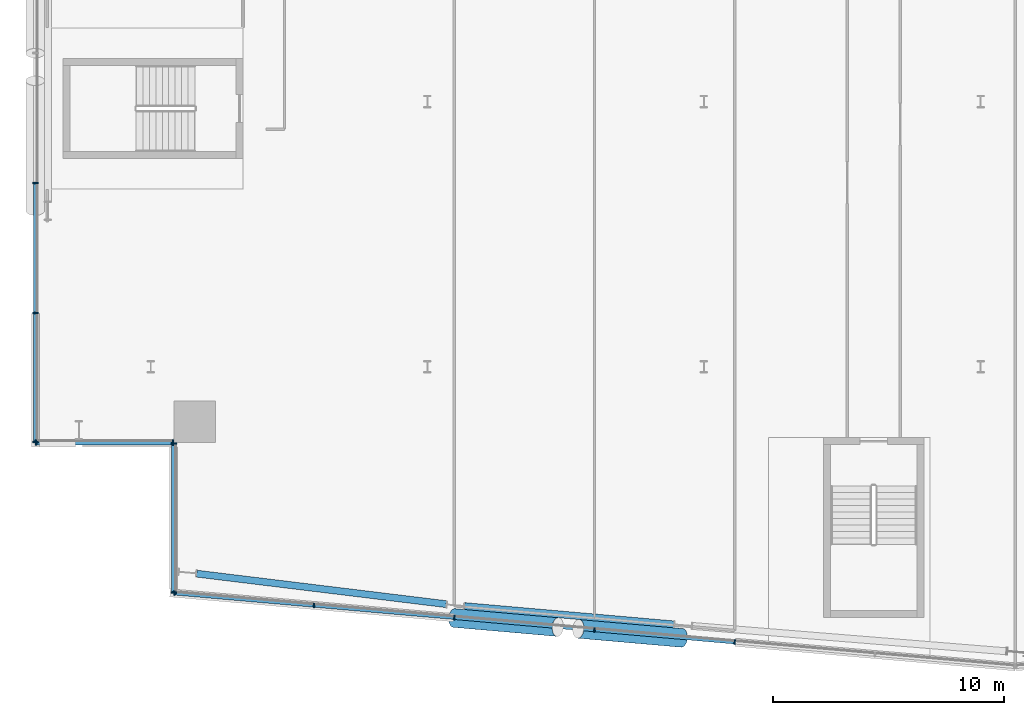
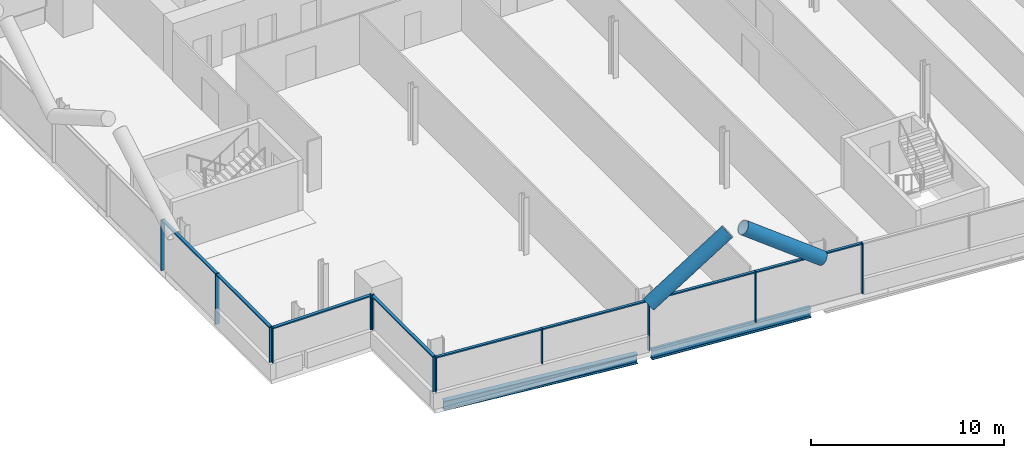
# One storey, part 5 of 25: 22 members, 2 beams, 4 elements without a shape of their own.
"""IFC4 building model written with IfcOpenShell, lengths in metres."""

import ifcopenshell
import ifcopenshell.guid

model = None  # the IFC model being written
_history = None  # IfcOwnerHistory: only IFC2X3 demands one
_inside = {}  # id of a spatial element -> (the spatial element, [elements in it])
_under = {}  # id of a project, library or spatial element -> (it, [spatial elements below it])
_declared = {}  # id of a project -> (the project, [libraries it declares])
_typed = {}  # id of a type object -> (the type object, [elements of that type])
_made_of = {}  # id of a material, layer set ... -> (it, [elements and type objects made of it])


def new_model(schema):
    """Start an empty IFC model of exactly this schema.

    Asked for "IFC4X3", IfcOpenShell would pick the latest addendum, in which some entities
    have other attributes; the version numbers below select the first issue.
    IFC2X3 requires an IfcOwnerHistory on every rooted entity: one is made here for all.
    """
    global model, _history
    if schema == "IFC4X3":
        model = ifcopenshell.file(schema_version=(4, 3, 0, 0))
    else:
        model = ifcopenshell.file(schema=schema)
    _inside.clear()
    _under.clear()
    _declared.clear()
    _typed.clear()
    _made_of.clear()
    _history = None
    if model.schema == "IFC2X3":
        org = make("IfcOrganization", Name="unknown")
        user = make(
            "IfcPersonAndOrganization",
            ThePerson=make("IfcPerson", FamilyName="unknown"),
            TheOrganization=org,
        )
        app = make(
            "IfcApplication",
            ApplicationDeveloper=org,
            Version="unknown",
            ApplicationFullName="unknown",
            ApplicationIdentifier="unknown",
        )
        _history = make(
            "IfcOwnerHistory",
            OwningUser=user,
            OwningApplication=app,
            ChangeAction="ADDED",
            CreationDate=0,
        )
    return model


def make(cls, **values):
    """One entity of the class cls with the attributes given. An attribute that is None is left unset."""
    return model.create_entity(
        cls, **{name: value for name, value in values.items() if value is not None}
    )


def rooted(cls, **values):
    """An entity with a GlobalId (a new one), such as an element, a storey or a relation."""
    return make(cls, GlobalId=ifcopenshell.guid.new(), OwnerHistory=_history, **values)


def si_unit(unit_type, name, prefix=None):
    """IfcSIUnit, for example si_unit("LENGTHUNIT", "METRE", prefix="MILLI")."""
    return make("IfcSIUnit", UnitType=unit_type, Prefix=prefix, Name=name)


def assignment(units):
    """IfcUnitAssignment: the units of a project."""
    return None if units is None else make("IfcUnitAssignment", Units=units)


def point(xyz):
    """IfcCartesianPoint."""
    return None if xyz is None else make("IfcCartesianPoint", Coordinates=xyz)


def direction(xyz):
    """IfcDirection."""
    return None if xyz is None else make("IfcDirection", DirectionRatios=xyz)


def frame(location, z_axis=None, x_axis=None):
    """IfcAxis2Placement3D, a coordinate frame: its origin and axes. An axis left out is left unset."""
    return make(
        "IfcAxis2Placement3D",
        Location=point(location),
        Axis=direction(z_axis),
        RefDirection=direction(x_axis),
    )


def frame_2d(location, x_axis=None):
    """IfcAxis2Placement2D, a coordinate frame in the plane: its origin and x axis."""
    return make(
        "IfcAxis2Placement2D", Location=point(location), RefDirection=direction(x_axis)
    )


def origin():
    """The frame at (0, 0, 0) with its axes left unset."""
    return frame((0.0, 0.0, 0.0))


def origin_2d():
    """The frame at (0, 0) in the plane with its x axis left unset."""
    return frame_2d((0.0, 0.0))


def place(relative_to, where):
    """IfcLocalPlacement: puts the frame where relative to a parent placement (None: the world)."""
    return make(
        "IfcLocalPlacement", PlacementRelTo=relative_to, RelativePlacement=where
    )


def context(
    kind, dimensions, precision=None, world=None, true_north=None, identifier=None
):
    """IfcGeometricRepresentationContext, for example the 3D "Model" context."""
    return make(
        "IfcGeometricRepresentationContext",
        ContextIdentifier=identifier,
        ContextType=kind,
        CoordinateSpaceDimension=dimensions,
        Precision=precision,
        WorldCoordinateSystem=world,
        TrueNorth=true_north,
    )


def subcontext(parent, identifier, kind, view, scale=None):
    """IfcGeometricRepresentationSubContext, for example "Body" below "Model"."""
    return make(
        "IfcGeometricRepresentationSubContext",
        ContextIdentifier=identifier,
        ContextType=kind,
        ParentContext=parent,
        TargetScale=scale,
        TargetView=view,
    )


def project(units=None, contexts=None):
    """IfcProject with its units and contexts."""
    return rooted(
        "IfcProject",
        Name="project",
        RepresentationContexts=contexts,
        UnitsInContext=assignment(units),
    )


def spatial(cls, under=None, at=None, **own):
    """A site, building, storey or space (cls), placed at a placement, below another one or the project."""
    s = rooted(cls, ObjectPlacement=at, **own)
    if under is not None:
        _under.setdefault(under.id(), (under, []))[1].append(s)
    return s


def profile(cls, at=None, kind="AREA", **sizes):
    """A parametric profile (cls). Its sizes go by their IFC names, for example OverallWidth=200.0."""
    return make(cls, ProfileType=kind, Position=at, **sizes)


def rectangle(**sizes):
    """IfcRectangleProfileDef."""
    return profile("IfcRectangleProfileDef", **sizes)


def hollow_circle(**sizes):
    """IfcCircleHollowProfileDef."""
    return profile("IfcCircleHollowProfileDef", **sizes)


def i_section(**sizes):
    """IfcIShapeProfileDef."""
    return profile("IfcIShapeProfileDef", **sizes)


def extrude(swept, where, along, depth):
    """IfcExtrudedAreaSolid: the profile swept, set in the frame where, extruded along a direction by depth."""
    return make(
        "IfcExtrudedAreaSolid",
        SweptArea=swept,
        Position=where,
        ExtrudedDirection=direction(along),
        Depth=depth,
    )


def shape(context_of_items, identifier, shape_type, items):
    """IfcShapeRepresentation: the items that make up one representation, for example the "Body"."""
    return make(
        "IfcShapeRepresentation",
        ContextOfItems=context_of_items,
        RepresentationIdentifier=identifier,
        RepresentationType=shape_type,
        Items=items,
    )


def material(Name=None, Category=None):
    """IfcMaterial."""
    return make("IfcMaterial", Name=Name, Category=Category)


def material_profile(
    of_material, cross_section, Name=None, Category=None, Priority=None
):
    """IfcMaterialProfile: a cross section and its material."""
    return make(
        "IfcMaterialProfile",
        Name=Name,
        Material=of_material,
        Profile=cross_section,
        Priority=Priority,
        Category=Category,
    )


def profile_set(profiles, Name=None, composite=None):
    """IfcMaterialProfileSet."""
    return make(
        "IfcMaterialProfileSet",
        Name=Name,
        MaterialProfiles=profiles,
        CompositeProfile=composite,
    )


def made_of(thing, what):
    """Note that an element or type object is made of a material, layer set ...; save() writes the relation."""
    if what is not None:
        _made_of.setdefault(what.id(), (what, []))[1].append(thing)
    return thing


def type_object(cls, material=None, **own):
    """A type object (cls), such as IfcWallType, which elements share."""
    return made_of(rooted(cls, **own), material)


def element(
    cls,
    number,
    at=None,
    inside=None,
    cuts=None,
    type_object=None,
    material=None,
    context=None,
    identifier="Body",
    shape_type=None,
    held_by="IfcProductDefinitionShape",
    body=None,
    shapes=None,
    **own,
):
    """One element of the class cls, such as IfcWall. Its Tag is "e" and its number.

    at: its placement. inside: the storey or other place that contains it. cuts: it is an
    opening in that element (IfcRelVoidsElement). A single representation is given by context,
    identifier, shape_type and body (its items); several are given by shapes. held_by: the class
    of the entity that holds the representations. save() writes the other relations.
    """
    e = rooted(cls, Tag="e%d" % number, ObjectPlacement=at, **own)
    if body is not None:
        shapes = [shape(context, identifier, shape_type, body)]
    if shapes is not None:
        e.Representation = make(held_by, Representations=shapes)
    if inside is not None:
        _inside.setdefault(inside.id(), (inside, []))[1].append(e)
    if cuts is not None:
        rooted(
            "IfcRelVoidsElement", RelatingBuildingElement=cuts, RelatedOpeningElement=e
        )
    if type_object is not None:
        _typed.setdefault(type_object.id(), (type_object, []))[1].append(e)
    return made_of(e, material)


def aggregate(whole, parts):
    """IfcRelAggregates: a whole, such as a stair, and the parts it consists of."""
    return rooted("IfcRelAggregates", RelatingObject=whole, RelatedObjects=parts)


def save(model, path):
    """Write the relations noted so far, then the file.

    IfcRelAggregates (storeys below a building ...), IfcRelContainedInSpatialStructure (elements
    in a storey), IfcRelDefinesByType, IfcRelAssociatesMaterial and IfcRelDeclares: one each for
    every whole, place, type object, material and project.
    """
    for whole, parts in _under.values():
        aggregate(whole, parts)
    for where, things in _inside.values():
        rooted(
            "IfcRelContainedInSpatialStructure",
            RelatedElements=things,
            RelatingStructure=where,
        )
    for kind, things in _typed.values():
        rooted("IfcRelDefinesByType", RelatedObjects=things, RelatingType=kind)
    for what, things in _made_of.values():
        rooted("IfcRelAssociatesMaterial", RelatedObjects=things, RelatingMaterial=what)
    for by, libraries in _declared.values():
        rooted("IfcRelDeclares", RelatingContext=by, RelatedDefinitions=libraries)
    model.write(path)


model = new_model("IFC4")

# Units and contexts
model_context = context("Model", 3, precision=1e-05, world=origin(), true_north=direction((0.0, 1.0)))
body_context = subcontext(model_context, "Body", "Model", "MODEL_VIEW")
ifc_project = project(units=[si_unit("LENGTHUNIT", "METRE"), si_unit("AREAUNIT", "SQUARE_METRE"), si_unit("VOLUMEUNIT", "CUBIC_METRE"), si_unit("PLANEANGLEUNIT", "RADIAN"), si_unit("MASSUNIT", "GRAM", prefix="KILO")], contexts=[model_context])

# Site, building, storey
site_placement = place(None, origin())
site = spatial("IfcSite", under=ifc_project, at=site_placement, CompositionType="ELEMENT")
building_placement = place(site_placement, origin())
building = spatial("IfcBuilding", under=site, at=building_placement, Name="Wharfspan Tower", CompositionType="ELEMENT")
storey_placement = place(building_placement, frame((0.0, 0.0, 129.100098)))
storey = spatial("IfcBuildingStorey", under=building, at=storey_placement, Name="L30", CompositionType="ELEMENT", Elevation=129.100098)

# Beams
ifc_material_1 = material(Name="Steel S355J2", Category="steel")
ifc_material_profile_1 = material_profile(ifc_material_1, i_section(OverallWidth=0.300049, OverallDepth=0.600098, WebThickness=0.015381, FlangeThickness=0.030029, FilletRadius=0.0271, at=origin_2d()))
ifc_profile_set_1 = profile_set([ifc_material_profile_1], Name="Steel S355J2")
beam_type = type_object("IfcBeamType", Name="Edge beam HEB 600", PredefinedType="SPANDREL", material=ifc_profile_set_1)
beam_1_placement = place(storey_placement, frame((13.990967, 2.520508, -0.700195), z_axis=(0.992611, -0.121342, 0.0), x_axis=(0.121342, 0.992611, 0.0)))
element("IfcBeam", 1, at=beam_1_placement, inside=storey, type_object=beam_type, Name="Edge beam S1 L30 PS1.1 to PS1.2", PredefinedType="SPANDREL", context=body_context, shape_type="SweptSolid", body=[
    extrude(i_section(OverallWidth=0.300049, OverallDepth=0.600098, WebThickness=0.015381, FlangeThickness=0.030029, FilletRadius=0.0271, at=origin_2d()), origin(), (0.0, 0.0, 1.0), 10.903076),
])
beam_2_placement = place(storey_placement, frame((25.615234, 1.113525, -0.700195), z_axis=(0.996195, -0.087151, 0.0), x_axis=(0.087151, 0.996195, 0.0)))
element("IfcBeam", 2, at=beam_2_placement, inside=storey, type_object=beam_type, Name="Edge beam S1 L30 PS1.2 to PS1.3", PredefinedType="SPANDREL", context=body_context, shape_type="SweptSolid", body=[
    extrude(i_section(OverallWidth=0.300049, OverallDepth=0.600098, WebThickness=0.015381, FlangeThickness=0.030029, FilletRadius=0.0271, at=origin_2d()), origin(), (0.0, 0.0, 1.0), 9.107178),
])

# Curtain wall, members
ifc_material_2 = material(Name="Aluminium 6063-T6", Category="aluminium")
curtain_wall_type_1 = type_object("IfcCurtainWallType", Name="CURTAIN WALL FACETED FRONT", PredefinedType="NOTDEFINED", material=ifc_material_2)
curtain_wall_1_placement = place(storey_placement, origin())
curtain_wall_1 = element("IfcCurtainWall", 3, at=curtain_wall_1_placement, inside=storey, type_object=curtain_wall_type_1, Name="Curtain wall S1", PredefinedType="NOTDEFINED")
ifc_material_profile_2 = material_profile(ifc_material_2, rectangle(XDim=0.199951, YDim=0.060059, at=origin_2d()))
ifc_profile_set_2 = profile_set([ifc_material_profile_2], Name="Aluminium 6063-T6")
member_type_1 = type_object("IfcMemberType", Name="MULLION FACETED FRONT 60x200", PredefinedType="MULLION", material=ifc_profile_set_2)
member_1_placement = place(storey_placement, frame((13.029785, 1.672363, 1.0), z_axis=(0.0, 0.0, 1.0), x_axis=(0.087156, 0.996198, 0.0)))
member_1 = element("IfcMember", 4, at=member_1_placement, type_object=member_type_1, Name="Curtain wall S1 mullion 1", PredefinedType="MULLION", context=body_context, shape_type="SweptSolid", body=[
    extrude(rectangle(XDim=0.199951, YDim=0.060059, at=origin_2d()), origin(), (0.0, 0.0, 1.0), 2.199951),
])
member_2_placement = place(storey_placement, frame((19.083252, 1.142822, 1.0), z_axis=(0.0, 0.0, 1.0), x_axis=(0.087156, 0.996198, 0.0)))
member_2 = element("IfcMember", 5, at=member_2_placement, type_object=member_type_1, Name="Curtain wall S1 mullion 2", PredefinedType="MULLION", context=body_context, shape_type="SweptSolid", body=[
    extrude(rectangle(XDim=0.199951, YDim=0.060059, at=origin_2d()), origin(), (0.0, 0.0, 1.0), 2.199951),
])
member_3_placement = place(storey_placement, frame((25.166748, 0.610596, 0.0), z_axis=(0.0, 0.0, 1.0), x_axis=(0.087156, 0.996198, 0.0)))
member_3 = element("IfcMember", 6, at=member_3_placement, type_object=member_type_1, Name="Curtain wall S1 mullion 3", PredefinedType="MULLION", context=body_context, shape_type="SweptSolid", body=[
    extrude(rectangle(XDim=0.199951, YDim=0.060059, at=origin_2d()), origin(), (0.0, 0.0, 1.0), 3.199951),
])
member_4_placement = place(storey_placement, frame((31.25, 0.078369, 0.0), z_axis=(0.0, 0.0, 1.0), x_axis=(0.087156, 0.996198, 0.0)))
member_4 = element("IfcMember", 7, at=member_4_placement, type_object=member_type_1, Name="Curtain wall S1 mullion 4", PredefinedType="MULLION", context=body_context, shape_type="SweptSolid", body=[
    extrude(rectangle(XDim=0.199951, YDim=0.060059, at=origin_2d()), origin(), (0.0, 0.0, 1.0), 3.199951),
])
member_5_placement = place(storey_placement, frame((37.333252, -0.453857, 0.0), z_axis=(0.0, 0.0, 1.0), x_axis=(0.087156, 0.996198, 0.0)))
member_5 = element("IfcMember", 8, at=member_5_placement, type_object=member_type_1, Name="Curtain wall S1 mullion 5", PredefinedType="MULLION", context=body_context, shape_type="SweptSolid", body=[
    extrude(rectangle(XDim=0.199951, YDim=0.060059, at=origin_2d()), origin(), (0.0, 0.0, 1.0), 3.199951),
])

curtain_wall_type_2 = type_object("IfcCurtainWallType", Name="CURTAIN WALL PROW AND END", PredefinedType="NOTDEFINED", material=ifc_material_2)
curtain_wall_2_placement = place(storey_placement, origin())
curtain_wall_2 = element("IfcCurtainWall", 9, at=curtain_wall_2_placement, inside=storey, type_object=curtain_wall_type_2, Name="Curtain wall W", PredefinedType="NOTDEFINED")
ifc_material_profile_3 = material_profile(ifc_material_2, rectangle(XDim=0.23999, YDim=0.060059, at=origin_2d()))
ifc_profile_set_3 = profile_set([ifc_material_profile_3], Name="Aluminium 6063-T6")
member_type_2 = type_object("IfcMemberType", Name="MULLION PROW AND END 60x240", PredefinedType="MULLION", material=ifc_profile_set_3)
member_6_placement = place(storey_placement, frame((7.0, 19.466553, 0.0), z_axis=(0.0, 0.0, 1.0), x_axis=(1.0, 0.0, 0.0)))
member_6 = element("IfcMember", 10, at=member_6_placement, type_object=member_type_2, Name="Curtain wall W mullion 5", PredefinedType="MULLION", context=body_context, shape_type="SweptSolid", body=[
    extrude(rectangle(XDim=0.23999, YDim=0.060059, at=origin_2d()), origin(), (0.0, 0.0, 1.0), 3.199951),
])
member_7_placement = place(storey_placement, frame((7.0, 13.833252, 0.0), z_axis=(0.0, 0.0, 1.0), x_axis=(1.0, 0.0, 0.0)))
member_7 = element("IfcMember", 11, at=member_7_placement, type_object=member_type_2, Name="Curtain wall W mullion 6", PredefinedType="MULLION", context=body_context, shape_type="SweptSolid", body=[
    extrude(rectangle(XDim=0.23999, YDim=0.060059, at=origin_2d()), origin(), (0.0, 0.0, 1.0), 3.199951),
])
member_8_placement = place(storey_placement, frame((7.0, 8.22998, 1.0), z_axis=(0.0, 0.0, 1.0), x_axis=(1.0, 0.0, 0.0)))
member_8 = element("IfcMember", 12, at=member_8_placement, type_object=member_type_2, Name="Curtain wall W mullion 7", PredefinedType="MULLION", context=body_context, shape_type="SweptSolid", body=[
    extrude(rectangle(XDim=0.23999, YDim=0.060059, at=origin_2d()), origin(), (0.0, 0.0, 1.0), 2.199951),
])

curtain_wall_3_placement = place(storey_placement, origin())
curtain_wall_3 = element("IfcCurtainWall", 13, at=curtain_wall_3_placement, inside=storey, type_object=curtain_wall_type_2, Name="Curtain wall NFW-H", PredefinedType="NOTDEFINED")
member_9_placement = place(storey_placement, frame((7.030029, 8.199951, 1.0), z_axis=(0.0, 0.0, 1.0), x_axis=(0.0, 1.0, 0.0)))
member_9 = element("IfcMember", 14, at=member_9_placement, type_object=member_type_2, Name="Curtain wall NFW-H mullion 1", PredefinedType="MULLION", context=body_context, shape_type="SweptSolid", body=[
    extrude(rectangle(XDim=0.23999, YDim=0.060059, at=origin_2d()), origin(), (0.0, 0.0, 1.0), 2.199951),
])
member_10_placement = place(storey_placement, frame((12.969971, 8.199951, 1.0), z_axis=(0.0, 0.0, 1.0), x_axis=(0.0, 1.0, 0.0)))
member_10 = element("IfcMember", 15, at=member_10_placement, type_object=member_type_2, Name="Curtain wall NFW-H mullion 2", PredefinedType="MULLION", context=body_context, shape_type="SweptSolid", body=[
    extrude(rectangle(XDim=0.23999, YDim=0.060059, at=origin_2d()), origin(), (0.0, 0.0, 1.0), 2.199951),
])

curtain_wall_4_placement = place(storey_placement, origin())
curtain_wall_4 = element("IfcCurtainWall", 16, at=curtain_wall_4_placement, inside=storey, type_object=curtain_wall_type_2, Name="Curtain wall NFW-V", PredefinedType="NOTDEFINED")
member_11_placement = place(storey_placement, frame((13.0, 8.169922, 1.0), z_axis=(0.0, 0.0, 1.0), x_axis=(1.0, 0.0, 0.0)))
member_11 = element("IfcMember", 17, at=member_11_placement, type_object=member_type_2, Name="Curtain wall NFW-V mullion 1", PredefinedType="MULLION", context=body_context, shape_type="SweptSolid", body=[
    extrude(rectangle(XDim=0.23999, YDim=0.060059, at=origin_2d()), origin(), (0.0, 0.0, 1.0), 2.199951),
])
member_12_placement = place(storey_placement, frame((13.0, 1.705078, 1.0), z_axis=(0.0, 0.0, 1.0), x_axis=(1.0, 0.0, 0.0)))
member_12 = element("IfcMember", 18, at=member_12_placement, type_object=member_type_2, Name="Curtain wall NFW-V mullion 2", PredefinedType="MULLION", context=body_context, shape_type="SweptSolid", body=[
    extrude(rectangle(XDim=0.23999, YDim=0.060059, at=origin_2d()), origin(), (0.0, 0.0, 1.0), 2.199951),
])

# Members
ifc_material_3 = material(Name="Steel S460NH", Category="steel")
ifc_material_profile_4 = material_profile(ifc_material_3, hollow_circle(Radius=0.406494, WallThickness=0.040039, at=origin_2d()))
ifc_profile_set_4 = profile_set([ifc_material_profile_4], Name="Steel S460NH")
member_type_3 = type_object("IfcMemberType", Name="Mega brace CHS 813x40", PredefinedType="BRACE", material=ifc_profile_set_4)
member_13_placement = place(storey_placement, frame((25.165283, 0.595703, 2.899902), z_axis=(0.80603, -0.070526, 0.587658), x_axis=(0.087167, 0.996192, -3e-06)))
element("IfcMember", 19, at=member_13_placement, inside=storey, type_object=member_type_3, Name="Mega brace S1 L31 part 1", PredefinedType="BRACE", context=body_context, shape_type="SweptSolid", body=[
    extrude(hollow_circle(Radius=0.406494, WallThickness=0.040039, at=origin_2d()), origin(), (0.0, 0.0, 1.0), 5.569824),
])
member_14_placement = place(storey_placement, frame((35.040771, -0.268311, 2.899902), z_axis=(-0.806015, 0.070528, 0.587679), x_axis=(-0.087171, -0.996191, -3e-06)))
element("IfcMember", 20, at=member_14_placement, inside=storey, type_object=member_type_3, Name="Mega brace S1 L31 part 3", PredefinedType="BRACE", context=body_context, shape_type="SweptSolid", body=[
    extrude(hollow_circle(Radius=0.406494, WallThickness=0.040039, at=origin_2d()), origin(), (0.0, 0.0, 1.0), 5.56958),
])

# Member
ifc_material_profile_5 = material_profile(ifc_material_2, rectangle(XDim=0.159912, YDim=0.080078, at=origin_2d()))
ifc_profile_set_5 = profile_set([ifc_material_profile_5], Name="Aluminium 6063-T6")
member_type_4 = type_object("IfcMemberType", Name="TRANSOM FACETED FRONT 80x160", PredefinedType="USERDEFINED", material=ifc_profile_set_5)
member_15_placement = place(storey_placement, frame((13.059814, 1.669922, 3.159912), z_axis=(0.996194, -0.087162, 0.0), x_axis=(0.087162, 0.996194, 0.0)))
member_15 = element("IfcMember", 21, at=member_15_placement, type_object=member_type_4, Name="Curtain wall S1 transom 1", ObjectType="TRANSOM", PredefinedType="USERDEFINED", context=body_context, shape_type="SweptSolid", body=[
    extrude(rectangle(XDim=0.159912, YDim=0.080078, at=origin_2d()), origin(), (0.0, 0.0, 1.0), 6.016602),
])

member_16_placement = place(storey_placement, frame((19.113281, 1.140137, 3.159912), z_axis=(0.996197, -0.087135, 0.0), x_axis=(0.087135, 0.996197, 0.0)))
member_16 = element("IfcMember", 22, at=member_16_placement, type_object=member_type_4, Name="Curtain wall S1 transom 2", ObjectType="TRANSOM", PredefinedType="USERDEFINED", context=body_context, shape_type="SweptSolid", body=[
    extrude(rectangle(XDim=0.159912, YDim=0.080078, at=origin_2d()), origin(), (0.0, 0.0, 1.0), 6.046387),
])

member_17_placement = place(storey_placement, frame((25.196533, 0.60791, 3.159912), z_axis=(0.996197, -0.087131, 0.0), x_axis=(0.087131, 0.996197, 0.0)))
member_17 = element("IfcMember", 23, at=member_17_placement, type_object=member_type_4, Name="Curtain wall S1 transom 3", ObjectType="TRANSOM", PredefinedType="USERDEFINED", context=body_context, shape_type="SweptSolid", body=[
    extrude(rectangle(XDim=0.159912, YDim=0.080078, at=origin_2d()), origin(), (0.0, 0.0, 1.0), 6.046631),
])

member_18_placement = place(storey_placement, frame((31.279785, 0.075684, 3.159912), z_axis=(0.996197, -0.087131, 0.0), x_axis=(0.087131, 0.996197, 0.0)))
member_18 = element("IfcMember", 24, at=member_18_placement, type_object=member_type_4, Name="Curtain wall S1 transom 4", ObjectType="TRANSOM", PredefinedType="USERDEFINED", context=body_context, shape_type="SweptSolid", body=[
    extrude(rectangle(XDim=0.159912, YDim=0.080078, at=origin_2d()), origin(), (0.0, 0.0, 1.0), 6.046631),
])

aggregate(curtain_wall_1, [member_1, member_2, member_3, member_4, member_5, member_15, member_16, member_17, member_18])

ifc_material_profile_6 = material_profile(ifc_material_2, rectangle(XDim=0.179932, YDim=0.080078, at=origin_2d()))
ifc_profile_set_6 = profile_set([ifc_material_profile_6], Name="Aluminium 6063-T6")
member_type_5 = type_object("IfcMemberType", Name="TRANSOM PROW AND END 80x180", PredefinedType="USERDEFINED", material=ifc_profile_set_6)
member_19_placement = place(storey_placement, frame((7.0, 19.436768, 3.159912), z_axis=(0.0, -1.0, 0.0), x_axis=(1.0, 0.0, 0.0)))
member_19 = element("IfcMember", 25, at=member_19_placement, type_object=member_type_5, Name="Curtain wall W transom 5", ObjectType="TRANSOM", PredefinedType="USERDEFINED", context=body_context, shape_type="SweptSolid", body=[
    extrude(rectangle(XDim=0.179932, YDim=0.080078, at=origin_2d()), origin(), (0.0, 0.0, 1.0), 5.573486),
])

member_20_placement = place(storey_placement, frame((7.0, 13.803223, 3.159912), z_axis=(0.0, -1.0, 0.0), x_axis=(1.0, 0.0, 0.0)))
member_20 = element("IfcMember", 26, at=member_20_placement, type_object=member_type_5, Name="Curtain wall W transom 6", ObjectType="TRANSOM", PredefinedType="USERDEFINED", context=body_context, shape_type="SweptSolid", body=[
    extrude(rectangle(XDim=0.179932, YDim=0.080078, at=origin_2d()), origin(), (0.0, 0.0, 1.0), 5.543213),
])

aggregate(curtain_wall_2, [member_6, member_7, member_8, member_19, member_20])

member_21_placement = place(storey_placement, frame((7.060059, 8.199951, 3.159912), z_axis=(1.0, 0.0, 0.0), x_axis=(0.0, 1.0, 0.0)))
member_21 = element("IfcMember", 27, at=member_21_placement, type_object=member_type_5, Name="Curtain wall NFW-H transom 1", ObjectType="TRANSOM", PredefinedType="USERDEFINED", context=body_context, shape_type="SweptSolid", body=[
    extrude(rectangle(XDim=0.179932, YDim=0.080078, at=origin_2d()), origin(), (0.0, 0.0, 1.0), 5.879883),
])

aggregate(curtain_wall_3, [member_9, member_10, member_21])

member_22_placement = place(storey_placement, frame((13.0, 8.139893, 3.159912), z_axis=(0.0, -1.0, 0.0), x_axis=(1.0, 0.0, 0.0)))
member_22 = element("IfcMember", 28, at=member_22_placement, type_object=member_type_5, Name="Curtain wall NFW-V transom 1", ObjectType="TRANSOM", PredefinedType="USERDEFINED", context=body_context, shape_type="SweptSolid", body=[
    extrude(rectangle(XDim=0.179932, YDim=0.080078, at=origin_2d()), origin(), (0.0, 0.0, 1.0), 6.404785),
])

aggregate(curtain_wall_4, [member_11, member_12, member_22])

save(model, "model.ifc")
